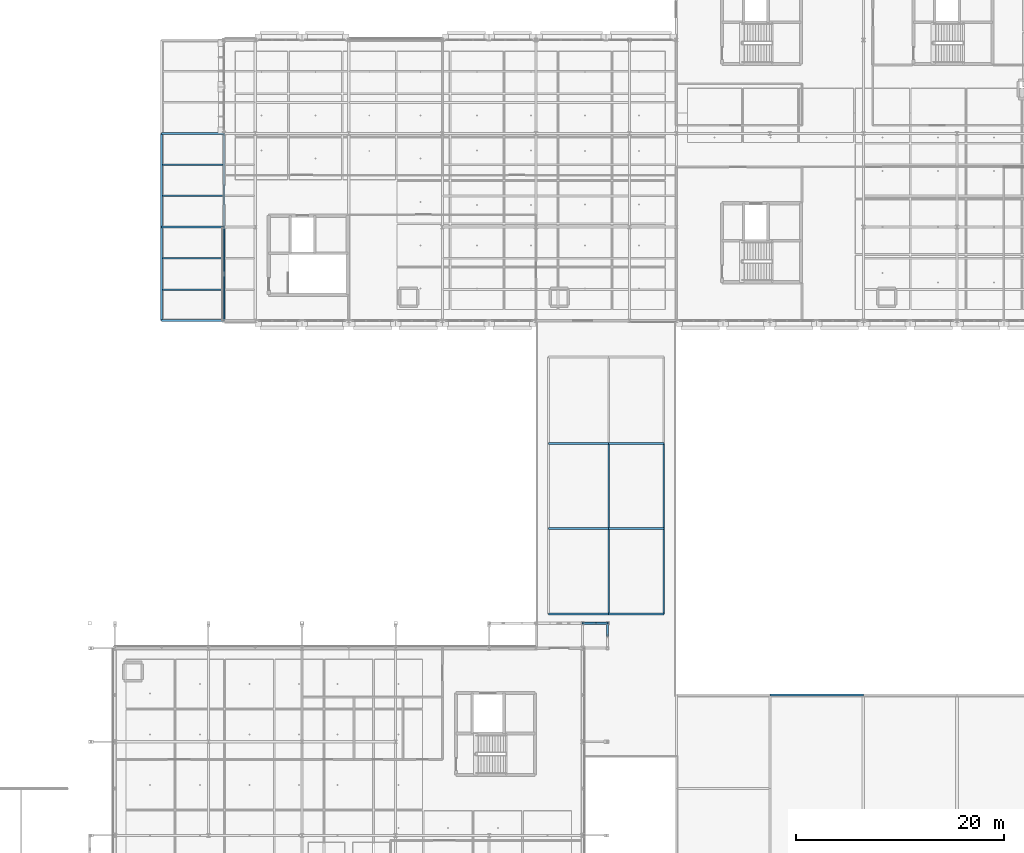
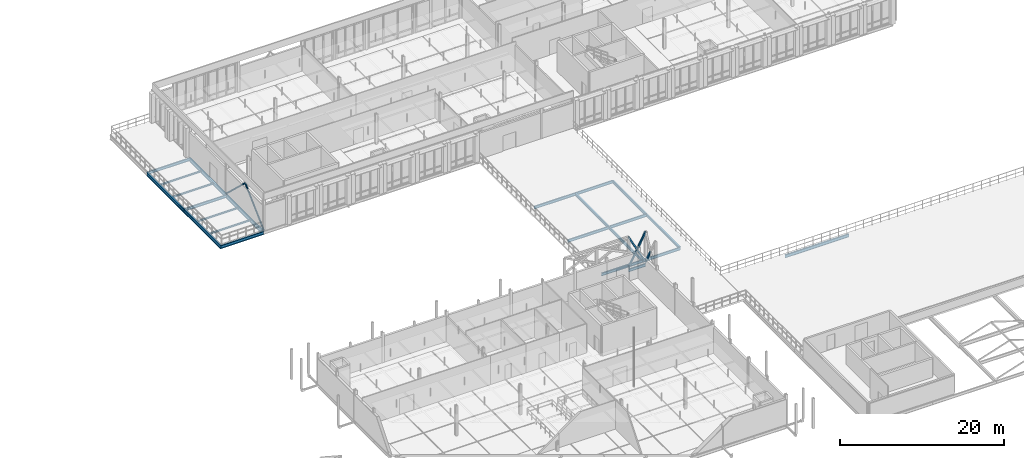
# One storey, part 21 of 89: 23 beams, 6 members.
"""IFC4 building model written with IfcOpenShell, lengths in metres."""

from ifc_helpers import new_model, si_unit, direction, frame, origin, origin_2d, place, context, subcontext, project, spatial, hollow_rectangle, hollow_circle, i_section, extrude, material, material_profile, profile_set, type_object, element, save


model = new_model("IFC4")

# Units and contexts
model_context = context("Model", 3, precision=1e-05, world=origin(), true_north=direction((0.0, 1.0)))
body_context = subcontext(model_context, "Body", "Model", "MODEL_VIEW")
ifc_project = project(units=[si_unit("LENGTHUNIT", "METRE"), si_unit("AREAUNIT", "SQUARE_METRE"), si_unit("VOLUMEUNIT", "CUBIC_METRE"), si_unit("PLANEANGLEUNIT", "RADIAN"), si_unit("MASSUNIT", "GRAM", prefix="KILO"), si_unit("THERMODYNAMICTEMPERATUREUNIT", "KELVIN"), si_unit("POWERUNIT", "WATT")], contexts=[model_context])

# Site, building, storey
site_placement = place(None, origin())
site = spatial("IfcSite", under=ifc_project, at=site_placement, CompositionType="ELEMENT")
building_placement = place(site_placement, origin())
building = spatial("IfcBuilding", under=site, at=building_placement, Name="Tallowbark Science Centre", CompositionType="ELEMENT")
storey_placement = place(building_placement, frame((0.0, 0.0, 14.39990234375)))
storey = spatial("IfcBuildingStorey", under=building, at=storey_placement, Name="L03", CompositionType="ELEMENT", Elevation=14.39990234375)

# Beams
ifc_material_1 = material(Name="Structural Steel Grade 300PLUS (300 MPa)", Category="steel")
ifc_material_profile_1 = material_profile(ifc_material_1, i_section(OverallWidth=0.177734375, OverallDepth=0.406494140625, WebThickness=0.0078125, FlangeThickness=0.0126953125, FilletRadius=0.011474609375, at=origin_2d()), Name="410UB59.7")
ifc_profile_set_1 = profile_set([ifc_material_profile_1], Name="Structural Steel Grade 300PLUS (300 MPa)")
beam_type_1 = type_object("IfcBeamType", Name="BM-UB410", PredefinedType="BEAM", material=ifc_profile_set_1)
beam_1_placement = place(storey_placement, frame((103.5, 42.89990234375, -0.447998046875), z_axis=(1.0, 0.0, 0.0), x_axis=(0.0, 1.0, 0.0)))
element("IfcBeam", 1, at=beam_1_placement, inside=storey, type_object=beam_type_1, Name="Primary Girder GRDX-L03-1035-1059-429", PredefinedType="BEAM", context=body_context, shape_type="SweptSolid", body=[
    extrude(i_section(OverallWidth=0.177734375, OverallDepth=0.406494140625, WebThickness=0.0078125, FlangeThickness=0.0126953125, FilletRadius=0.011474609375, at=origin_2d()), origin(), (0.0, 0.0, 1.0), 2.39990234375),
])
beam_2_placement = place(storey_placement, frame((100.199951171875, 43.800048828125, -0.447998046875), z_axis=(1.0, 0.0, 0.0), x_axis=(0.0, 1.0, 0.0)))
element("IfcBeam", 2, at=beam_2_placement, inside=storey, type_object=beam_type_1, Name="Primary Girder GRDX-L03-1002-1060-438", PredefinedType="BEAM", context=body_context, shape_type="SweptSolid", body=[
    extrude(i_section(OverallWidth=0.177734375, OverallDepth=0.406494140625, WebThickness=0.0078125, FlangeThickness=0.0126953125, FilletRadius=0.011474609375, at=origin_2d()), origin(), (0.0, 0.0, 1.0), 5.800048828125),
])
beam_3_placement = place(storey_placement, frame((106.0, 43.800048828125, -0.447998046875), z_axis=(1.0, 0.0, 0.0), x_axis=(0.0, 1.0, 0.0)))
element("IfcBeam", 3, at=beam_3_placement, inside=storey, type_object=beam_type_1, Name="Primary Girder GRDX-L03-1060-1113-438", PredefinedType="BEAM", context=body_context, shape_type="SweptSolid", body=[
    extrude(i_section(OverallWidth=0.177734375, OverallDepth=0.406494140625, WebThickness=0.0078125, FlangeThickness=0.0126953125, FilletRadius=0.011474609375, at=origin_2d()), origin(), (0.0, 0.0, 1.0), 5.300048828125),
])
beam_4_placement = place(storey_placement, frame((100.199951171875, 52.0, -0.447998046875), z_axis=(1.0, 0.0, 0.0), x_axis=(0.0, 1.0, 0.0)))
element("IfcBeam", 4, at=beam_4_placement, inside=storey, type_object=beam_type_1, Name="Primary Girder GRDX-L03-1002-1060-520", PredefinedType="BEAM", context=body_context, shape_type="SweptSolid", body=[
    extrude(i_section(OverallWidth=0.177734375, OverallDepth=0.406494140625, WebThickness=0.0078125, FlangeThickness=0.0126953125, FilletRadius=0.011474609375, at=origin_2d()), origin(), (0.0, 0.0, 1.0), 5.800048828125),
])
beam_5_placement = place(storey_placement, frame((106.0, 52.0, -0.447998046875), z_axis=(1.0, 0.0, 0.0), x_axis=(0.0, 1.0, 0.0)))
element("IfcBeam", 5, at=beam_5_placement, inside=storey, type_object=beam_type_1, Name="Primary Girder GRDX-L03-1060-1113-520", PredefinedType="BEAM", context=body_context, shape_type="SweptSolid", body=[
    extrude(i_section(OverallWidth=0.177734375, OverallDepth=0.406494140625, WebThickness=0.0078125, FlangeThickness=0.0126953125, FilletRadius=0.011474609375, at=origin_2d()), origin(), (0.0, 0.0, 1.0), 5.300048828125),
])
beam_6_placement = place(storey_placement, frame((100.199951171875, 60.199951171875, -0.447998046875), z_axis=(1.0, 0.0, 0.0), x_axis=(0.0, 1.0, 0.0)))
element("IfcBeam", 6, at=beam_6_placement, inside=storey, type_object=beam_type_1, Name="Primary Girder GRDX-L03-1002-1060-602", PredefinedType="BEAM", context=body_context, shape_type="SweptSolid", body=[
    extrude(i_section(OverallWidth=0.177734375, OverallDepth=0.406494140625, WebThickness=0.0078125, FlangeThickness=0.0126953125, FilletRadius=0.011474609375, at=origin_2d()), origin(), (0.0, 0.0, 1.0), 5.800048828125),
])
beam_7_placement = place(storey_placement, frame((106.0, 60.199951171875, -0.447998046875), z_axis=(1.0, 0.0, 0.0), x_axis=(0.0, 1.0, 0.0)))
element("IfcBeam", 7, at=beam_7_placement, inside=storey, type_object=beam_type_1, Name="Primary Girder GRDX-L03-1060-1113-602", PredefinedType="BEAM", context=body_context, shape_type="SweptSolid", body=[
    extrude(i_section(OverallWidth=0.177734375, OverallDepth=0.406494140625, WebThickness=0.0078125, FlangeThickness=0.0126953125, FilletRadius=0.011474609375, at=origin_2d()), origin(), (0.0, 0.0, 1.0), 5.300048828125),
])
for number, where, z_axis, x_axis, name in (
    (8, (63.0, 81.0, -0.383056640625), (1.0, 0.0, 0.0), (0.0, 1.0, 0.0), "Primary Girder GRDX-L03-630-690-810"),
    (9, (63.0, 90.0, -0.383056640625), (1.0, 0.0, 0.0), (0.0, 1.0, 0.0), "Primary Girder GRDX-L03-630-690-900"),
):
    element("IfcBeam", number, at=place(storey_placement, frame(where, z_axis=z_axis, x_axis=x_axis)), inside=storey, type_object=beam_type_1, Name=name, PredefinedType="BEAM", context=body_context, shape_type="SweptSolid", body=[
        extrude(i_section(OverallWidth=0.177734375, OverallDepth=0.406494140625, WebThickness=0.0078125, FlangeThickness=0.0126953125, FilletRadius=0.011474609375, at=origin_2d()), origin(), (0.0, 0.0, 1.0), 6.0),
    ])
for number, where, z_axis, x_axis, name in (
    (10, (106.0, 43.800048828125, -0.447998046875), (0.0, 1.0, 0.0), (-1.0, 0.0, 0.0), "Primary Girder GRDY-L03-1060-438-520"),
    (11, (106.0, 52.0, -0.447998046875), (0.0, 1.0, 0.0), (-1.0, 0.0, 0.0), "Primary Girder GRDY-L03-1060-520-602"),
    (12, (111.300048828125, 43.800048828125, -0.447998046875), (0.0, 1.0, 0.0), (-1.0, 0.0, 0.0), "Primary Girder GRDY-L03-1113-438-520"),
    (13, (111.300048828125, 52.0, -0.447998046875), (0.0, 1.0, 0.0), (-1.0, 0.0, 0.0), "Primary Girder GRDY-L03-1113-520-602"),
):
    element("IfcBeam", number, at=place(storey_placement, frame(where, z_axis=z_axis, x_axis=x_axis)), inside=storey, type_object=beam_type_1, Name=name, PredefinedType="BEAM", context=body_context, shape_type="SweptSolid", body=[
        extrude(i_section(OverallWidth=0.177734375, OverallDepth=0.406494140625, WebThickness=0.0078125, FlangeThickness=0.0126953125, FilletRadius=0.011474609375, at=origin_2d()), origin(), (0.0, 0.0, 1.0), 8.199951171875),
    ])
ifc_material_profile_2 = material_profile(ifc_material_1, i_section(OverallWidth=0.208740234375, OverallDepth=0.5283203125, WebThickness=0.009521484375, FlangeThickness=0.01318359375, FilletRadius=0.013916015625, at=origin_2d()), Name="530UB82.0")
ifc_profile_set_2 = profile_set([ifc_material_profile_2], Name="Structural Steel Grade 300PLUS (300 MPa)")
beam_type_2 = type_object("IfcBeamType", Name="BM-UB530B", PredefinedType="BEAM", material=ifc_profile_set_2)
for number, where, z_axis, x_axis, name in (
    (14, (63.0, 72.0, -0.444091796875), (0.0, 1.0, 0.0), (-1.0, 0.0, 0.0), "Primary Girder GRDY-L03-630-720-810"),
    (15, (63.0, 81.0, -0.444091796875), (0.0, 1.0, 0.0), (-1.0, 0.0, 0.0), "Primary Girder GRDY-L03-630-810-900"),
    (16, (69.0, 72.0, -0.444091796875), (0.0, 1.0, 0.0), (-1.0, 0.0, 0.0), "Primary Girder GRDY-L03-690-720-810"),
    (17, (69.0, 81.0, -0.444091796875), (0.0, 1.0, 0.0), (-1.0, 0.0, 0.0), "Primary Girder GRDY-L03-690-810-900"),
):
    element("IfcBeam", number, at=place(storey_placement, frame(where, z_axis=z_axis, x_axis=x_axis)), inside=storey, type_object=beam_type_2, Name=name, PredefinedType="BEAM", context=body_context, shape_type="SweptSolid", body=[
        extrude(i_section(OverallWidth=0.208740234375, OverallDepth=0.5283203125, WebThickness=0.009521484375, FlangeThickness=0.01318359375, FilletRadius=0.013916015625, at=origin_2d()), origin(), (0.0, 0.0, 1.0), 9.0),
    ])

# Members
ifc_material_2 = material(Name="Structural Steel Grade C350L0 (350 MPa)", Category="steel")
ifc_material_profile_3 = material_profile(ifc_material_2, hollow_circle(Radius=0.109619140625, WallThickness=0.00830078125, at=origin_2d()), Name="219.1x8.2CHS")
ifc_profile_set_3 = profile_set([ifc_material_profile_3], Name="Structural Steel Grade C350L0 (350 MPa)")
member_type_1 = type_object("IfcMemberType", Name="CBF-219CHS", PredefinedType="BRACE", material=ifc_profile_set_3)
for number, where, z_axis, x_axis, name in (
    (18, (69.0, 72.0, 0.0), (0.0, 0.72701315255, 0.686623532964), (-1.0, 0.0, 0.0), "Concentric Chevron Brace CBF-LAB-W1B L03 Left"),
    (19, (69.0, 81.0, 0.0), (0.0, -0.72701315255, 0.686623532964), (1.0, 0.0, 0.0), "Concentric Chevron Brace CBF-LAB-W1B L03 Right"),
):
    element("IfcMember", number, at=place(storey_placement, frame(where, z_axis=z_axis, x_axis=x_axis)), inside=storey, type_object=member_type_1, Name=name, PredefinedType="BRACE", context=body_context, shape_type="SweptSolid", body=[
        extrude(hollow_circle(Radius=0.109619140625, WallThickness=0.00830078125, at=origin_2d()), origin(), (0.0, 0.0, 1.0), 6.189697265625),
    ])

# Beams
ifc_material_profile_4 = material_profile(ifc_material_1, i_section(OverallWidth=0.146484375, OverallDepth=0.256103515625, WebThickness=0.00634765625, FlangeThickness=0.010986328125, FilletRadius=0.0087890625, at=origin_2d()), Name="250UB37.3")
ifc_profile_set_4 = profile_set([ifc_material_profile_4], Name="Structural Steel Grade 300PLUS (300 MPa)")
beam_type_3 = type_object("IfcBeamType", Name="JST-UB250", PredefinedType="JOIST", material=ifc_profile_set_4)
for number, where, z_axis, x_axis, name in (
    (20, (63.0849609375, 75.0, -0.30810546875), (1.0, 0.0, 0.0), (0.0, 1.0, 0.0), "Composite Floor Joist JSTX-L03-630-750"),
    (21, (63.0849609375, 78.0, -0.30810546875), (1.0, 0.0, 0.0), (0.0, 1.0, 0.0), "Composite Floor Joist JSTX-L03-630-780"),
    (22, (63.0849609375, 84.0, -0.30810546875), (1.0, 0.0, 0.0), (0.0, 1.0, 0.0), "Composite Floor Joist JSTX-L03-630-840"),
    (23, (63.0849609375, 87.0, -0.30810546875), (1.0, 0.0, 0.0), (0.0, 1.0, 0.0), "Composite Floor Joist JSTX-L03-630-870"),
):
    element("IfcBeam", number, at=place(storey_placement, frame(where, z_axis=z_axis, x_axis=x_axis)), inside=storey, type_object=beam_type_3, Name=name, PredefinedType="JOIST", context=body_context, shape_type="SweptSolid", body=[
        extrude(i_section(OverallWidth=0.146484375, OverallDepth=0.256103515625, WebThickness=0.00634765625, FlangeThickness=0.010986328125, FilletRadius=0.0087890625, at=origin_2d()), origin(), (0.0, 0.0, 1.0), 5.830078125),
    ])

# Members
ifc_material_3 = material(Name="White Architectural Painted Steel Grade C350L0 (350 MPa)", Category="steel")
ifc_material_profile_5 = material_profile(ifc_material_3, hollow_rectangle(XDim=0.199951171875, YDim=0.199951171875, WallThickness=0.009033203125, at=origin_2d()), Name="200x200x9.0SHS")
ifc_profile_set_5 = profile_set([ifc_material_profile_5], Name="White Architectural Painted Steel Grade C350L0 (350 MPa)")
member_type_2 = type_object("IfcMemberType", Name="SCR-STAR139", PredefinedType="BRACE", material=ifc_profile_set_5)
member_placement = place(storey_placement, frame((103.5, 42.89990234375, 0.0), z_axis=(0.470573327259, 0.0, 0.882360891967), x_axis=(0.0, 1.0, 0.0)))
element("IfcMember", 24, at=member_placement, inside=storey, type_object=member_type_2, Name="Star Screen Corner Continuous Diagonal NEX-L03", PredefinedType="BRACE", context=body_context, shape_type="SweptSolid", body=[
    extrude(hollow_rectangle(XDim=0.199951171875, YDim=0.199951171875, WallThickness=0.009033203125, at=origin_2d()), origin(), (0.0, 0.0, 1.0), 5.099853515625),
])
for number, where, z_axis, x_axis, name in (
    (25, (105.89990234375, 42.89990234375, 0.0), (-0.470573327259, 0.0, 0.882360891967), (0.0, -1.0, 0.0), "Star Screen Corner Split Diagonal A NEX-L03"),
    (26, (104.699951171875, 42.89990234375, 2.25), (-0.470573327259, 0.0, 0.882360891967), (0.0, -1.0, 0.0), "Star Screen Corner Split Diagonal B NEX-L03"),
    (27, (105.89990234375, 42.89990234375, 0.0), (0.0, -0.470573327259, 0.882360891967), (1.0, 0.0, 0.0), "Star Screen Corner Split Diagonal A NEY-L03"),
):
    element("IfcMember", number, at=place(storey_placement, frame(where, z_axis=z_axis, x_axis=x_axis)), inside=storey, type_object=member_type_2, Name=name, PredefinedType="BRACE", context=body_context, shape_type="SweptSolid", body=[
        extrude(hollow_rectangle(XDim=0.199951171875, YDim=0.199951171875, WallThickness=0.009033203125, at=origin_2d()), origin(), (0.0, 0.0, 1.0), 2.550048828125),
    ])

# Beams
ifc_material_profile_6 = material_profile(ifc_material_1, i_section(OverallWidth=0.18994140625, OverallDepth=0.453857421875, WebThickness=0.008544921875, FlangeThickness=0.0126953125, FilletRadius=0.011474609375, at=origin_2d()), Name="460UB67.1")
ifc_profile_set_6 = profile_set([ifc_material_profile_6], Name="Structural Steel Grade 300PLUS (300 MPa)")
beam_type_4 = type_object("IfcBeamType", Name="SPN-UB460", PredefinedType="SPANDREL", material=ifc_profile_set_6)
beam_8_placement = place(storey_placement, frame((121.5, 36.0, -0.471923828125), z_axis=(1.0, 0.0, 0.0), x_axis=(0.0, 1.0, 0.0)))
element("IfcBeam", 28, at=beam_8_placement, inside=storey, type_object=beam_type_4, Name="Primary Girder GRDX-L03-1215-1305-360", PredefinedType="SPANDREL", context=body_context, shape_type="SweptSolid", body=[
    extrude(i_section(OverallWidth=0.18994140625, OverallDepth=0.453857421875, WebThickness=0.008544921875, FlangeThickness=0.0126953125, FilletRadius=0.011474609375, at=origin_2d()), origin(), (0.0, 0.0, 1.0), 9.0),
])
beam_9_placement = place(storey_placement, frame((63.0, 72.0, -0.40673828125), z_axis=(1.0, 0.0, 0.0), x_axis=(0.0, 1.0, 0.0)))
element("IfcBeam", 29, at=beam_9_placement, inside=storey, type_object=beam_type_4, Name="Primary Girder GRDX-L03-630-690-720", PredefinedType="SPANDREL", context=body_context, shape_type="SweptSolid", body=[
    extrude(i_section(OverallWidth=0.18994140625, OverallDepth=0.453857421875, WebThickness=0.008544921875, FlangeThickness=0.0126953125, FilletRadius=0.011474609375, at=origin_2d()), origin(), (0.0, 0.0, 1.0), 6.0),
])

save(model, "model.ifc")
